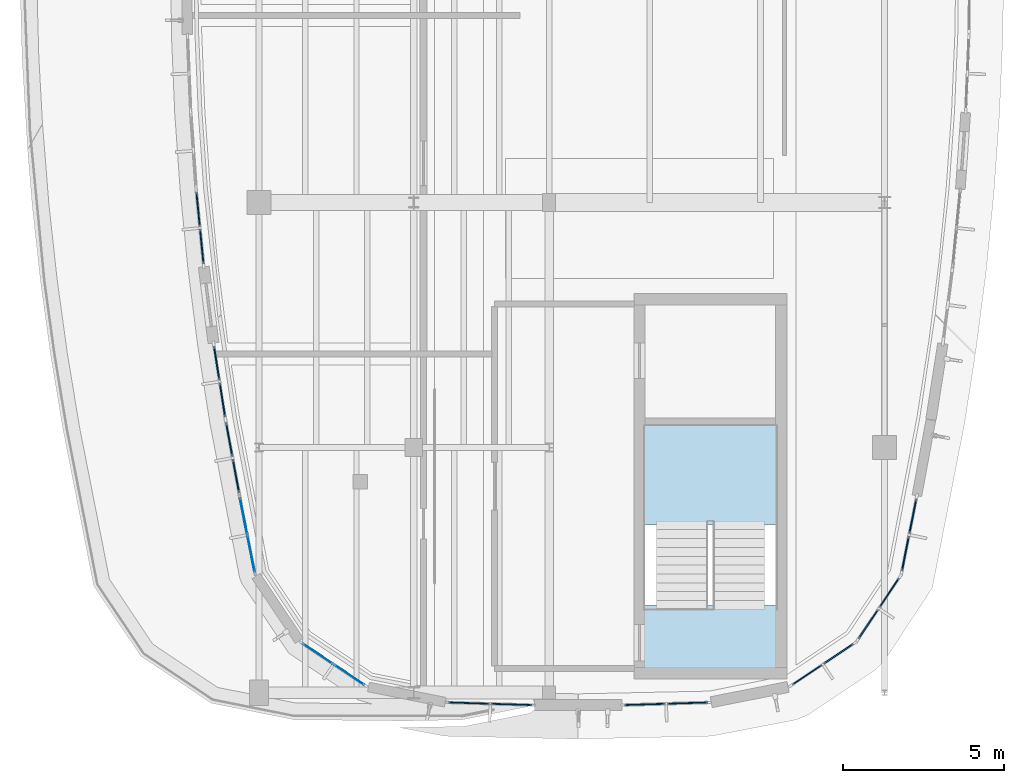
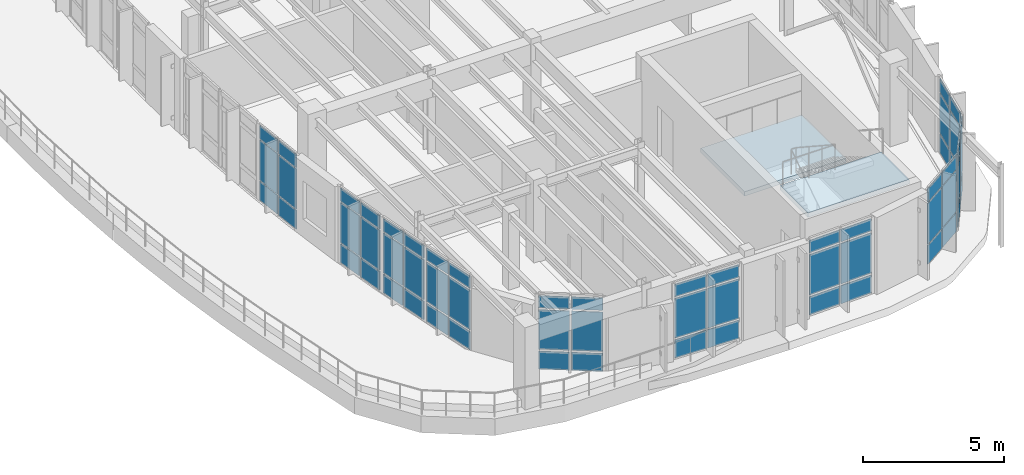
# One storey, part 12 of 20: 60 plates, 2 slabs, 11 elements without a shape of their own.
"""IFC4 building model written with IfcOpenShell, lengths in metres."""

from ifc_helpers import new_model, si_unit, direction, frame, origin, origin_2d, place, context, subcontext, project, spatial, polyline, rectangle, outline, extrude, material, layer, layer_set, type_object, element, aggregate, save


model = new_model("IFC4")

# Units and contexts
model_context = context("Model", 3, precision=1e-05, world=origin(), true_north=direction((0.0, 1.0)))
body_context = subcontext(model_context, "Body", "Model", "MODEL_VIEW")
ifc_project = project(units=[si_unit("LENGTHUNIT", "METRE"), si_unit("AREAUNIT", "SQUARE_METRE"), si_unit("VOLUMEUNIT", "CUBIC_METRE"), si_unit("PLANEANGLEUNIT", "RADIAN"), si_unit("MASSUNIT", "GRAM", prefix="KILO")], contexts=[model_context])

# Site, building, storey
site_placement = place(None, origin())
site = spatial("IfcSite", under=ifc_project, at=site_placement, CompositionType="ELEMENT")
building_placement = place(site_placement, origin())
building = spatial("IfcBuilding", under=site, at=building_placement, Name="Corveleigh Park Community Centre", CompositionType="ELEMENT")
storey_placement = place(building_placement, frame((0.0, 0.0, 16.199951171875)))
storey = spatial("IfcBuildingStorey", under=building, at=storey_placement, Name="L04", CompositionType="ELEMENT", Elevation=16.199951171875)

# Curtain wall, plates
ifc_material_1 = material(Name="Anodised aluminium 6063-T6", Category="aluminium")
curtain_wall_type = type_object("IfcCurtainWallType", Name="CW-SYS-V4-L03", PredefinedType="NOTDEFINED", material=ifc_material_1)
curtain_wall_1_placement = place(storey_placement, origin())
curtain_wall_1 = element("IfcCurtainWall", 1, at=curtain_wall_1_placement, inside=storey, type_object=curtain_wall_type, Name="V4 L04 Curtain Wall 469", PredefinedType="NOTDEFINED")
ifc_material_2 = material(Name="Low-E double glazing", Category="glass")
ifc_layer_1 = layer(ifc_material_2, 0.02392578125, Name="Low-E double glazing", Category="glass")
ifc_layer_set_1 = layer_set([ifc_layer_1], Name="Low-E double glazing")
plate_type_1 = type_object("IfcPlateType", Name="CWP-GLZ-24", PredefinedType="CURTAIN_PANEL", material=ifc_layer_set_1)
plate_1_placement = place(storey_placement, frame((148.755859375, 62.9091796875, 0.074951171875), z_axis=(0.0, 0.0, 1.0), x_axis=(-0.195093525756, 0.980784643134, 0.0)))
plate_1 = element("IfcPlate", 2, at=plate_1_placement, type_object=plate_type_1, Name="CW09 panel 1.1", PredefinedType="CURTAIN_PANEL", context=body_context, shape_type="SweptSolid", body=[
    extrude(rectangle(XDim=1.132568359375, YDim=0.02392578125, at=origin_2d()), origin(), (0.0, 0.0, 1.0), 0.78759765625),
])
plate_2_placement = place(storey_placement, frame((148.755859375, 62.9091796875, 0.9375), z_axis=(0.0, 0.0, 1.0), x_axis=(-0.195093525756, 0.980784643134, 0.0)))
plate_2 = element("IfcPlate", 3, at=plate_2_placement, type_object=plate_type_1, Name="CW09 panel 1.2", PredefinedType="CURTAIN_PANEL", context=body_context, shape_type="SweptSolid", body=[
    extrude(rectangle(XDim=1.132568359375, YDim=0.02392578125, at=origin_2d()), origin(), (0.0, 0.0, 1.0), 1.7119140625),
])
plate_3_placement = place(storey_placement, frame((148.755859375, 62.9091796875, 2.724609375), z_axis=(0.0, 0.0, 1.0), x_axis=(-0.195093525756, 0.980784643134, 0.0)))
plate_3 = element("IfcPlate", 4, at=plate_3_placement, type_object=plate_type_1, Name="CW09 panel 1.3", PredefinedType="CURTAIN_PANEL", context=body_context, shape_type="SweptSolid", body=[
    extrude(rectangle(XDim=1.132568359375, YDim=0.02392578125, at=origin_2d()), origin(), (0.0, 0.0, 1.0), 0.53759765625),
])
plate_4_placement = place(storey_placement, frame((148.523193359375, 64.078857421875, 0.074951171875), z_axis=(0.0, 0.0, 1.0), x_axis=(-0.195093525756, 0.980784643134, 0.0)))
plate_4 = element("IfcPlate", 5, at=plate_4_placement, type_object=plate_type_1, Name="CW09 panel 2.1", PredefinedType="CURTAIN_PANEL", context=body_context, shape_type="SweptSolid", body=[
    extrude(rectangle(XDim=1.132568359375, YDim=0.02392578125, at=origin_2d()), origin(), (0.0, 0.0, 1.0), 0.78759765625),
])
plate_5_placement = place(storey_placement, frame((148.523193359375, 64.078857421875, 0.9375), z_axis=(0.0, 0.0, 1.0), x_axis=(-0.195093525756, 0.980784643134, 0.0)))
plate_5 = element("IfcPlate", 6, at=plate_5_placement, type_object=plate_type_1, Name="CW09 panel 2.2", PredefinedType="CURTAIN_PANEL", context=body_context, shape_type="SweptSolid", body=[
    extrude(rectangle(XDim=1.132568359375, YDim=0.02392578125, at=origin_2d()), origin(), (0.0, 0.0, 1.0), 1.7119140625),
])
plate_6_placement = place(storey_placement, frame((148.523193359375, 64.078857421875, 2.724609375), z_axis=(0.0, 0.0, 1.0), x_axis=(-0.195093525756, 0.980784643134, 0.0)))
plate_6 = element("IfcPlate", 7, at=plate_6_placement, type_object=plate_type_1, Name="CW09 panel 2.3", PredefinedType="CURTAIN_PANEL", context=body_context, shape_type="SweptSolid", body=[
    extrude(rectangle(XDim=1.132568359375, YDim=0.02392578125, at=origin_2d()), origin(), (0.0, 0.0, 1.0), 0.53759765625),
])
aggregate(curtain_wall_1, [plate_1, plate_2, plate_3, plate_4, plate_5, plate_6])

curtain_wall_2_placement = place(storey_placement, origin())
curtain_wall_2 = element("IfcCurtainWall", 8, at=curtain_wall_2_placement, inside=storey, type_object=curtain_wall_type, Name="V4 L04 Curtain Wall 470", PredefinedType="NOTDEFINED")
plate_7_placement = place(storey_placement, frame((151.800048828125, 59.155517578125, 0.080078125), z_axis=(0.0, 0.0, 1.0), x_axis=(-0.83141083453, 0.555658190101, 0.0)))
plate_7 = element("IfcPlate", 9, at=plate_7_placement, type_object=plate_type_1, Name="CW09 panel 1.1", PredefinedType="CURTAIN_PANEL", context=body_context, shape_type="SweptSolid", body=[
    extrude(rectangle(XDim=1.1064453125, YDim=0.02392578125, at=origin_2d()), origin(), (0.0, 0.0, 1.0), 0.780029296875),
])
plate_8_placement = place(storey_placement, frame((151.800048828125, 59.155517578125, 0.93994140625), z_axis=(0.0, 0.0, 1.0), x_axis=(-0.83141083453, 0.555658190101, 0.0)))
plate_8 = element("IfcPlate", 10, at=plate_8_placement, type_object=plate_type_1, Name="CW09 panel 1.2", PredefinedType="CURTAIN_PANEL", context=body_context, shape_type="SweptSolid", body=[
    extrude(rectangle(XDim=1.1064453125, YDim=0.02392578125, at=origin_2d()), origin(), (0.0, 0.0, 1.0), 1.70703125),
])
plate_9_placement = place(storey_placement, frame((151.800048828125, 59.155517578125, 2.72705078125), z_axis=(0.0, 0.0, 1.0), x_axis=(-0.83141083453, 0.555658190101, 0.0)))
plate_9 = element("IfcPlate", 11, at=plate_9_placement, type_object=plate_type_1, Name="CW09 panel 1.3", PredefinedType="CURTAIN_PANEL", context=body_context, shape_type="SweptSolid", body=[
    extrude(rectangle(XDim=1.1064453125, YDim=0.02392578125, at=origin_2d()), origin(), (0.0, 0.0, 1.0), 0.530029296875),
])
plate_10_placement = place(storey_placement, frame((150.825927734375, 59.806396484375, 0.080078125), z_axis=(0.0, 0.0, 1.0), x_axis=(-0.83141083453, 0.555658190101, 0.0)))
plate_10 = element("IfcPlate", 12, at=plate_10_placement, type_object=plate_type_1, Name="CW09 panel 2.1", PredefinedType="CURTAIN_PANEL", context=body_context, shape_type="SweptSolid", body=[
    extrude(rectangle(XDim=1.1064453125, YDim=0.02392578125, at=origin_2d()), origin(), (0.0, 0.0, 1.0), 0.780029296875),
])
plate_11_placement = place(storey_placement, frame((150.825927734375, 59.806396484375, 0.93994140625), z_axis=(0.0, 0.0, 1.0), x_axis=(-0.83141083453, 0.555658190101, 0.0)))
plate_11 = element("IfcPlate", 13, at=plate_11_placement, type_object=plate_type_1, Name="CW09 panel 2.2", PredefinedType="CURTAIN_PANEL", context=body_context, shape_type="SweptSolid", body=[
    extrude(rectangle(XDim=1.1064453125, YDim=0.02392578125, at=origin_2d()), origin(), (0.0, 0.0, 1.0), 1.70703125),
])
plate_12_placement = place(storey_placement, frame((150.825927734375, 59.806396484375, 2.72705078125), z_axis=(0.0, 0.0, 1.0), x_axis=(-0.83141083453, 0.555658190101, 0.0)))
plate_12 = element("IfcPlate", 14, at=plate_12_placement, type_object=plate_type_1, Name="CW09 panel 2.3", PredefinedType="CURTAIN_PANEL", context=body_context, shape_type="SweptSolid", body=[
    extrude(rectangle(XDim=1.1064453125, YDim=0.02392578125, at=origin_2d()), origin(), (0.0, 0.0, 1.0), 0.530029296875),
])
aggregate(curtain_wall_2, [plate_7, plate_8, plate_9, plate_10, plate_11, plate_12])

curtain_wall_3_placement = place(storey_placement, origin())
curtain_wall_3 = element("IfcCurtainWall", 15, at=curtain_wall_3_placement, inside=storey, type_object=curtain_wall_type, Name="V4 L04 Curtain Wall 439", PredefinedType="NOTDEFINED")
ifc_layer_2 = layer(ifc_material_2, 0.035888671875, Name="Low-E double glazing", Category="glass")
ifc_layer_set_2 = layer_set([ifc_layer_2], Name="Low-E double glazing")
plate_type_2 = type_object("IfcPlateType", Name="CWP-GLZ-36", PredefinedType="CURTAIN_PANEL", material=ifc_layer_set_2)
plate_13_placement = place(storey_placement, frame((156.833740234375, 58.23583984375, 0.074951171875), z_axis=(0.0, 0.0, 1.0), x_axis=(-0.99950519252, 0.031454254481, 0.0)))
plate_13 = element("IfcPlate", 16, at=plate_13_placement, type_object=plate_type_2, Name="CW09 panel 1.1", PredefinedType="CURTAIN_PANEL", context=body_context, shape_type="SweptSolid", body=[
    extrude(rectangle(XDim=1.26123046875, YDim=0.035888671875, at=origin_2d()), origin(), (0.0, 0.0, 1.0), 0.78759765625),
])
plate_14_placement = place(storey_placement, frame((156.833740234375, 58.23583984375, 0.9375), z_axis=(0.0, 0.0, 1.0), x_axis=(-0.99950519252, 0.031454254481, 0.0)))
plate_14 = element("IfcPlate", 17, at=plate_14_placement, type_object=plate_type_2, Name="CW09 panel 1.2", PredefinedType="CURTAIN_PANEL", context=body_context, shape_type="SweptSolid", body=[
    extrude(rectangle(XDim=1.26123046875, YDim=0.035888671875, at=origin_2d()), origin(), (0.0, 0.0, 1.0), 1.7119140625),
])
plate_15_placement = place(storey_placement, frame((156.833740234375, 58.23583984375, 2.724609375), z_axis=(0.0, 0.0, 1.0), x_axis=(-0.99950519252, 0.031454254481, 0.0)))
plate_15 = element("IfcPlate", 18, at=plate_15_placement, type_object=plate_type_2, Name="CW09 panel 1.3", PredefinedType="CURTAIN_PANEL", context=body_context, shape_type="SweptSolid", body=[
    extrude(rectangle(XDim=1.26123046875, YDim=0.035888671875, at=origin_2d()), origin(), (0.0, 0.0, 1.0), 0.53759765625),
])
plate_16_placement = place(storey_placement, frame((155.51318359375, 58.27734375, 0.074951171875), z_axis=(0.0, 0.0, 1.0), x_axis=(-0.99950519252, 0.031454254481, 0.0)))
plate_16 = element("IfcPlate", 19, at=plate_16_placement, type_object=plate_type_2, Name="CW09 panel 2.1", PredefinedType="CURTAIN_PANEL", context=body_context, shape_type="SweptSolid", body=[
    extrude(rectangle(XDim=1.26123046875, YDim=0.035888671875, at=origin_2d()), origin(), (0.0, 0.0, 1.0), 0.78759765625),
])
plate_17_placement = place(storey_placement, frame((155.51318359375, 58.27734375, 0.9375), z_axis=(0.0, 0.0, 1.0), x_axis=(-0.99950519252, 0.031454254481, 0.0)))
plate_17 = element("IfcPlate", 20, at=plate_17_placement, type_object=plate_type_2, Name="CW09 panel 2.2", PredefinedType="CURTAIN_PANEL", context=body_context, shape_type="SweptSolid", body=[
    extrude(rectangle(XDim=1.26123046875, YDim=0.035888671875, at=origin_2d()), origin(), (0.0, 0.0, 1.0), 1.7119140625),
])
plate_18_placement = place(storey_placement, frame((155.51318359375, 58.27734375, 2.724609375), z_axis=(0.0, 0.0, 1.0), x_axis=(-0.99950519252, 0.031454254481, 0.0)))
plate_18 = element("IfcPlate", 21, at=plate_18_placement, type_object=plate_type_2, Name="CW09 panel 2.3", PredefinedType="CURTAIN_PANEL", context=body_context, shape_type="SweptSolid", body=[
    extrude(rectangle(XDim=1.26123046875, YDim=0.035888671875, at=origin_2d()), origin(), (0.0, 0.0, 1.0), 0.53759765625),
])
aggregate(curtain_wall_3, [plate_13, plate_14, plate_15, plate_16, plate_17, plate_18])

curtain_wall_4_placement = place(storey_placement, origin())
curtain_wall_4 = element("IfcCurtainWall", 22, at=curtain_wall_4_placement, inside=storey, type_object=curtain_wall_type, Name="V4 L04 Curtain Wall 440", PredefinedType="NOTDEFINED")
plate_19_placement = place(storey_placement, frame((162.285400390625, 58.27734375, 0.080078125), z_axis=(0.0, 0.0, 1.0), x_axis=(-0.99950519252, -0.031454254481, 0.0)))
plate_19 = element("IfcPlate", 23, at=plate_19_placement, type_object=plate_type_2, Name="CW09 panel 1.1", PredefinedType="CURTAIN_PANEL", context=body_context, shape_type="SweptSolid", body=[
    extrude(rectangle(XDim=1.253662109375, YDim=0.035888671875, at=origin_2d()), origin(), (0.0, 0.0, 1.0), 0.780029296875),
])
plate_20_placement = place(storey_placement, frame((162.285400390625, 58.27734375, 0.93994140625), z_axis=(0.0, 0.0, 1.0), x_axis=(-0.99950519252, -0.031454254481, 0.0)))
plate_20 = element("IfcPlate", 24, at=plate_20_placement, type_object=plate_type_2, Name="CW09 panel 1.2", PredefinedType="CURTAIN_PANEL", context=body_context, shape_type="SweptSolid", body=[
    extrude(rectangle(XDim=1.253662109375, YDim=0.035888671875, at=origin_2d()), origin(), (0.0, 0.0, 1.0), 1.741943359375),
])
plate_21_placement = place(storey_placement, frame((162.285400390625, 58.27734375, 2.76220703125), z_axis=(0.0, 0.0, 1.0), x_axis=(-0.99950519252, -0.031454254481, 0.0)))
plate_21 = element("IfcPlate", 25, at=plate_21_placement, type_object=plate_type_2, Name="CW09 panel 1.3", PredefinedType="CURTAIN_PANEL", context=body_context, shape_type="SweptSolid", body=[
    extrude(rectangle(XDim=1.253662109375, YDim=0.035888671875, at=origin_2d()), origin(), (0.0, 0.0, 1.0), 0.530029296875),
])
plate_22_placement = place(storey_placement, frame((160.967529296875, 58.23583984375, 0.080078125), z_axis=(0.0, 0.0, 1.0), x_axis=(-0.99950519252, -0.031454254481, 0.0)))
plate_22 = element("IfcPlate", 26, at=plate_22_placement, type_object=plate_type_2, Name="CW09 panel 2.1", PredefinedType="CURTAIN_PANEL", context=body_context, shape_type="SweptSolid", body=[
    extrude(rectangle(XDim=1.253662109375, YDim=0.035888671875, at=origin_2d()), origin(), (0.0, 0.0, 1.0), 0.780029296875),
])
plate_23_placement = place(storey_placement, frame((160.967529296875, 58.23583984375, 0.93994140625), z_axis=(0.0, 0.0, 1.0), x_axis=(-0.99950519252, -0.031454254481, 0.0)))
plate_23 = element("IfcPlate", 27, at=plate_23_placement, type_object=plate_type_2, Name="CW09 panel 2.2", PredefinedType="CURTAIN_PANEL", context=body_context, shape_type="SweptSolid", body=[
    extrude(rectangle(XDim=1.253662109375, YDim=0.035888671875, at=origin_2d()), origin(), (0.0, 0.0, 1.0), 1.741943359375),
])
plate_24_placement = place(storey_placement, frame((160.967529296875, 58.23583984375, 2.76220703125), z_axis=(0.0, 0.0, 1.0), x_axis=(-0.99950519252, -0.031454254481, 0.0)))
plate_24 = element("IfcPlate", 28, at=plate_24_placement, type_object=plate_type_2, Name="CW09 panel 2.3", PredefinedType="CURTAIN_PANEL", context=body_context, shape_type="SweptSolid", body=[
    extrude(rectangle(XDim=1.253662109375, YDim=0.035888671875, at=origin_2d()), origin(), (0.0, 0.0, 1.0), 0.530029296875),
])
aggregate(curtain_wall_4, [plate_19, plate_20, plate_21, plate_22, plate_23, plate_24])

curtain_wall_5_placement = place(storey_placement, origin())
curtain_wall_5 = element("IfcCurtainWall", 29, at=curtain_wall_5_placement, inside=storey, type_object=curtain_wall_type, Name="V4 L04 Curtain Wall 441", PredefinedType="NOTDEFINED")
ifc_layer_3 = layer(ifc_material_2, 0.0400390625, Name="Low-E double glazing", Category="glass")
ifc_layer_set_3 = layer_set([ifc_layer_3], Name="Low-E double glazing")
plate_type_3 = type_object("IfcPlateType", Name="CWP-GLZ-40", PredefinedType="CURTAIN_PANEL", material=ifc_layer_set_3)
plate_25_placement = place(storey_placement, frame((166.972900390625, 59.8056640625, 0.06005859375), z_axis=(0.0, 0.0, 1.0), x_axis=(-0.83141083453, -0.555658190101, 0.0)))
plate_25 = element("IfcPlate", 30, at=plate_25_placement, type_object=plate_type_3, Name="CW09 panel 1.1", PredefinedType="CURTAIN_PANEL", context=body_context, shape_type="SweptSolid", body=[
    extrude(rectangle(XDim=1.098876953125, YDim=0.0400390625, at=origin_2d()), origin(), (0.0, 0.0, 1.0), 0.81005859375),
])
plate_26_placement = place(storey_placement, frame((166.972900390625, 59.8056640625, 0.93017578125), z_axis=(0.0, 0.0, 1.0), x_axis=(-0.83141083453, -0.555658190101, 0.0)))
plate_26 = element("IfcPlate", 31, at=plate_26_placement, type_object=plate_type_3, Name="CW09 panel 1.2", PredefinedType="CURTAIN_PANEL", context=body_context, shape_type="SweptSolid", body=[
    extrude(rectangle(XDim=1.098876953125, YDim=0.0400390625, at=origin_2d()), origin(), (0.0, 0.0, 1.0), 1.761962890625),
])
plate_27_placement = place(storey_placement, frame((166.972900390625, 59.8056640625, 2.751953125), z_axis=(0.0, 0.0, 1.0), x_axis=(-0.83141083453, -0.555658190101, 0.0)))
plate_27 = element("IfcPlate", 32, at=plate_27_placement, type_object=plate_type_3, Name="CW09 panel 1.3", PredefinedType="CURTAIN_PANEL", context=body_context, shape_type="SweptSolid", body=[
    extrude(rectangle(XDim=1.098876953125, YDim=0.0400390625, at=origin_2d()), origin(), (0.0, 0.0, 1.0), 0.56005859375),
])
plate_28_placement = place(storey_placement, frame((166.0009765625, 59.15625, 0.06005859375), z_axis=(0.0, 0.0, 1.0), x_axis=(-0.83141083453, -0.555658190101, 0.0)))
plate_28 = element("IfcPlate", 33, at=plate_28_placement, type_object=plate_type_3, Name="CW09 panel 2.1", PredefinedType="CURTAIN_PANEL", context=body_context, shape_type="SweptSolid", body=[
    extrude(rectangle(XDim=1.098876953125, YDim=0.0400390625, at=origin_2d()), origin(), (0.0, 0.0, 1.0), 0.81005859375),
])
plate_29_placement = place(storey_placement, frame((166.0009765625, 59.15625, 0.93017578125), z_axis=(0.0, 0.0, 1.0), x_axis=(-0.83141083453, -0.555658190101, 0.0)))
plate_29 = element("IfcPlate", 34, at=plate_29_placement, type_object=plate_type_3, Name="CW09 panel 2.2", PredefinedType="CURTAIN_PANEL", context=body_context, shape_type="SweptSolid", body=[
    extrude(rectangle(XDim=1.098876953125, YDim=0.0400390625, at=origin_2d()), origin(), (0.0, 0.0, 1.0), 1.761962890625),
])
plate_30_placement = place(storey_placement, frame((166.0009765625, 59.15625, 2.751953125), z_axis=(0.0, 0.0, 1.0), x_axis=(-0.83141083453, -0.555658190101, 0.0)))
plate_30 = element("IfcPlate", 35, at=plate_30_placement, type_object=plate_type_3, Name="CW09 panel 2.3", PredefinedType="CURTAIN_PANEL", context=body_context, shape_type="SweptSolid", body=[
    extrude(rectangle(XDim=1.098876953125, YDim=0.0400390625, at=origin_2d()), origin(), (0.0, 0.0, 1.0), 0.56005859375),
])
aggregate(curtain_wall_5, [plate_25, plate_26, plate_27, plate_28, plate_29, plate_30])

curtain_wall_6_placement = place(storey_placement, origin())
curtain_wall_6 = element("IfcCurtainWall", 36, at=curtain_wall_6_placement, inside=storey, type_object=curtain_wall_type, Name="V4 L04 Curtain Wall 442", PredefinedType="NOTDEFINED")
plate_31_placement = place(storey_placement, frame((168.54296875, 61.697998046875, 0.06494140625), z_axis=(0.0, 0.0, 1.0), x_axis=(-0.555658190101, -0.83141083453, 0.0)))
plate_31 = element("IfcPlate", 37, at=plate_31_placement, type_object=plate_type_3, Name="CW09 panel 1.1", PredefinedType="CURTAIN_PANEL", context=body_context, shape_type="SweptSolid", body=[
    extrude(rectangle(XDim=1.091552734375, YDim=0.0400390625, at=origin_2d()), origin(), (0.0, 0.0, 1.0), 0.802490234375),
])
plate_32_placement = place(storey_placement, frame((168.54296875, 61.697998046875, 0.9326171875), z_axis=(0.0, 0.0, 1.0), x_axis=(-0.555658190101, -0.83141083453, 0.0)))
plate_32 = element("IfcPlate", 38, at=plate_32_placement, type_object=plate_type_3, Name="CW09 panel 1.2", PredefinedType="CURTAIN_PANEL", context=body_context, shape_type="SweptSolid", body=[
    extrude(rectangle(XDim=1.091552734375, YDim=0.0400390625, at=origin_2d()), origin(), (0.0, 0.0, 1.0), 1.757080078125),
])
plate_33_placement = place(storey_placement, frame((168.54296875, 61.697998046875, 2.75439453125), z_axis=(0.0, 0.0, 1.0), x_axis=(-0.555658190101, -0.83141083453, 0.0)))
plate_33 = element("IfcPlate", 39, at=plate_33_placement, type_object=plate_type_3, Name="CW09 panel 1.3", PredefinedType="CURTAIN_PANEL", context=body_context, shape_type="SweptSolid", body=[
    extrude(rectangle(XDim=1.091552734375, YDim=0.0400390625, at=origin_2d()), origin(), (0.0, 0.0, 1.0), 0.552490234375),
])
plate_34_placement = place(storey_placement, frame((167.89501953125, 60.72802734375, 0.06494140625), z_axis=(0.0, 0.0, 1.0), x_axis=(-0.555658190101, -0.83141083453, 0.0)))
plate_34 = element("IfcPlate", 40, at=plate_34_placement, type_object=plate_type_3, Name="CW09 panel 2.1", PredefinedType="CURTAIN_PANEL", context=body_context, shape_type="SweptSolid", body=[
    extrude(rectangle(XDim=1.091552734375, YDim=0.0400390625, at=origin_2d()), origin(), (0.0, 0.0, 1.0), 0.802490234375),
])
plate_35_placement = place(storey_placement, frame((167.89501953125, 60.72802734375, 0.9326171875), z_axis=(0.0, 0.0, 1.0), x_axis=(-0.555658190101, -0.83141083453, 0.0)))
plate_35 = element("IfcPlate", 41, at=plate_35_placement, type_object=plate_type_3, Name="CW09 panel 2.2", PredefinedType="CURTAIN_PANEL", context=body_context, shape_type="SweptSolid", body=[
    extrude(rectangle(XDim=1.091552734375, YDim=0.0400390625, at=origin_2d()), origin(), (0.0, 0.0, 1.0), 1.757080078125),
])
plate_36_placement = place(storey_placement, frame((167.89501953125, 60.72802734375, 2.75439453125), z_axis=(0.0, 0.0, 1.0), x_axis=(-0.555658190101, -0.83141083453, 0.0)))
plate_36 = element("IfcPlate", 42, at=plate_36_placement, type_object=plate_type_3, Name="CW09 panel 2.3", PredefinedType="CURTAIN_PANEL", context=body_context, shape_type="SweptSolid", body=[
    extrude(rectangle(XDim=1.091552734375, YDim=0.0400390625, at=origin_2d()), origin(), (0.0, 0.0, 1.0), 0.552490234375),
])
aggregate(curtain_wall_6, [plate_31, plate_32, plate_33, plate_34, plate_35, plate_36])

curtain_wall_7_placement = place(storey_placement, origin())
curtain_wall_7 = element("IfcCurtainWall", 43, at=curtain_wall_7_placement, inside=storey, type_object=curtain_wall_type, Name="V4 L04 Curtain Wall 466", PredefinedType="NOTDEFINED")
plate_37_placement = place(storey_placement, frame((147.2265625, 72.435546875, 0.06005859375), z_axis=(0.0, 0.0, 1.0), x_axis=(-0.098174367416, 0.995169228615, 0.0)))
plate_37 = element("IfcPlate", 44, at=plate_37_placement, type_object=plate_type_3, Name="CW09 panel 1.1", PredefinedType="CURTAIN_PANEL", context=body_context, shape_type="SweptSolid", body=[
    extrude(rectangle(XDim=1.079345703125, YDim=0.0400390625, at=origin_2d()), origin(), (0.0, 0.0, 1.0), 0.81005859375),
])
plate_38_placement = place(storey_placement, frame((147.2265625, 72.435546875, 0.929931640625), z_axis=(0.0, 0.0, 1.0), x_axis=(-0.098174367416, 0.995169228615, 0.0)))
plate_38 = element("IfcPlate", 45, at=plate_38_placement, type_object=plate_type_3, Name="CW09 panel 1.2", PredefinedType="CURTAIN_PANEL", context=body_context, shape_type="SweptSolid", body=[
    extrude(rectangle(XDim=1.079345703125, YDim=0.0400390625, at=origin_2d()), origin(), (0.0, 0.0, 1.0), 1.72705078125),
])
plate_39_placement = place(storey_placement, frame((147.2265625, 72.435546875, 2.717041015625), z_axis=(0.0, 0.0, 1.0), x_axis=(-0.098174367416, 0.995169228615, 0.0)))
plate_39 = element("IfcPlate", 46, at=plate_39_placement, type_object=plate_type_3, Name="CW09 panel 1.3", PredefinedType="CURTAIN_PANEL", context=body_context, shape_type="SweptSolid", body=[
    extrude(rectangle(XDim=1.079345703125, YDim=0.0400390625, at=origin_2d()), origin(), (0.0, 0.0, 1.0), 0.56005859375),
])
plate_40_placement = place(storey_placement, frame((147.11328125, 73.584228515625, 0.06005859375), z_axis=(0.0, 0.0, 1.0), x_axis=(-0.098174367416, 0.995169228615, 0.0)))
plate_40 = element("IfcPlate", 47, at=plate_40_placement, type_object=plate_type_3, Name="CW09 panel 2.1", PredefinedType="CURTAIN_PANEL", context=body_context, shape_type="SweptSolid", body=[
    extrude(rectangle(XDim=1.079345703125, YDim=0.0400390625, at=origin_2d()), origin(), (0.0, 0.0, 1.0), 0.81005859375),
])
plate_41_placement = place(storey_placement, frame((147.11328125, 73.584228515625, 0.929931640625), z_axis=(0.0, 0.0, 1.0), x_axis=(-0.098174367416, 0.995169228615, 0.0)))
plate_41 = element("IfcPlate", 48, at=plate_41_placement, type_object=plate_type_3, Name="CW09 panel 2.2", PredefinedType="CURTAIN_PANEL", context=body_context, shape_type="SweptSolid", body=[
    extrude(rectangle(XDim=1.079345703125, YDim=0.0400390625, at=origin_2d()), origin(), (0.0, 0.0, 1.0), 1.72705078125),
])
plate_42_placement = place(storey_placement, frame((147.11328125, 73.584228515625, 2.717041015625), z_axis=(0.0, 0.0, 1.0), x_axis=(-0.098174367416, 0.995169228615, 0.0)))
plate_42 = element("IfcPlate", 49, at=plate_42_placement, type_object=plate_type_3, Name="CW09 panel 2.3", PredefinedType="CURTAIN_PANEL", context=body_context, shape_type="SweptSolid", body=[
    extrude(rectangle(XDim=1.079345703125, YDim=0.0400390625, at=origin_2d()), origin(), (0.0, 0.0, 1.0), 0.56005859375),
])
aggregate(curtain_wall_7, [plate_37, plate_38, plate_39, plate_40, plate_41, plate_42])

curtain_wall_8_placement = place(storey_placement, origin())
curtain_wall_8 = element("IfcCurtainWall", 50, at=curtain_wall_8_placement, inside=storey, type_object=curtain_wall_type, Name="V4 L04 Curtain Wall 443", PredefinedType="NOTDEFINED")
ifc_layer_4 = layer(ifc_material_2, 0.0439453125, Name="Low-E double glazing", Category="glass")
ifc_layer_set_4 = layer_set([ifc_layer_4], Name="Low-E double glazing")
plate_type_4 = type_object("IfcPlateType", Name="CWP-GLZ-44", PredefinedType="CURTAIN_PANEL", material=ifc_layer_set_4)
plate_43_placement = place(storey_placement, frame((169.27587890625, 64.073974609375, 0.070068359375), z_axis=(0.0, 0.0, 1.0), x_axis=(-0.195093525756, -0.980784643134, 0.0)))
plate_43 = element("IfcPlate", 51, at=plate_43_placement, type_object=plate_type_4, Name="CW09 panel 1.1", PredefinedType="CURTAIN_PANEL", context=body_context, shape_type="SweptSolid", body=[
    extrude(rectangle(XDim=1.1025390625, YDim=0.0439453125, at=origin_2d()), origin(), (0.0, 0.0, 1.0), 0.794921875),
])
plate_44_placement = place(storey_placement, frame((169.27587890625, 64.073974609375, 0.93505859375), z_axis=(0.0, 0.0, 1.0), x_axis=(-0.195093525756, -0.980784643134, 0.0)))
plate_44 = element("IfcPlate", 52, at=plate_44_placement, type_object=plate_type_4, Name="CW09 panel 1.2", PredefinedType="CURTAIN_PANEL", context=body_context, shape_type="SweptSolid", body=[
    extrude(rectangle(XDim=1.1025390625, YDim=0.0439453125, at=origin_2d()), origin(), (0.0, 0.0, 1.0), 1.69189453125),
])
plate_45_placement = place(storey_placement, frame((169.27587890625, 64.073974609375, 2.697021484375), z_axis=(0.0, 0.0, 1.0), x_axis=(-0.195093525756, -0.980784643134, 0.0)))
plate_45 = element("IfcPlate", 53, at=plate_45_placement, type_object=plate_type_4, Name="CW09 panel 1.3", PredefinedType="CURTAIN_PANEL", context=body_context, shape_type="SweptSolid", body=[
    extrude(rectangle(XDim=1.1025390625, YDim=0.0439453125, at=origin_2d()), origin(), (0.0, 0.0, 1.0), 0.544921875),
])
plate_46_placement = place(storey_placement, frame((169.045166015625, 62.9140625, 0.070068359375), z_axis=(0.0, 0.0, 1.0), x_axis=(-0.195093525756, -0.980784643134, 0.0)))
plate_46 = element("IfcPlate", 54, at=plate_46_placement, type_object=plate_type_4, Name="CW09 panel 2.1", PredefinedType="CURTAIN_PANEL", context=body_context, shape_type="SweptSolid", body=[
    extrude(rectangle(XDim=1.1025390625, YDim=0.0439453125, at=origin_2d()), origin(), (0.0, 0.0, 1.0), 0.794921875),
])
plate_47_placement = place(storey_placement, frame((169.045166015625, 62.9140625, 0.93505859375), z_axis=(0.0, 0.0, 1.0), x_axis=(-0.195093525756, -0.980784643134, 0.0)))
plate_47 = element("IfcPlate", 55, at=plate_47_placement, type_object=plate_type_4, Name="CW09 panel 2.2", PredefinedType="CURTAIN_PANEL", context=body_context, shape_type="SweptSolid", body=[
    extrude(rectangle(XDim=1.1025390625, YDim=0.0439453125, at=origin_2d()), origin(), (0.0, 0.0, 1.0), 1.69189453125),
])
plate_48_placement = place(storey_placement, frame((169.045166015625, 62.9140625, 2.697021484375), z_axis=(0.0, 0.0, 1.0), x_axis=(-0.195093525756, -0.980784643134, 0.0)))
plate_48 = element("IfcPlate", 56, at=plate_48_placement, type_object=plate_type_4, Name="CW09 panel 2.3", PredefinedType="CURTAIN_PANEL", context=body_context, shape_type="SweptSolid", body=[
    extrude(rectangle(XDim=1.1025390625, YDim=0.0439453125, at=origin_2d()), origin(), (0.0, 0.0, 1.0), 0.544921875),
])
aggregate(curtain_wall_8, [plate_43, plate_44, plate_45, plate_46, plate_47, plate_48])

curtain_wall_9_placement = place(storey_placement, origin())
curtain_wall_9 = element("IfcCurtainWall", 57, at=curtain_wall_9_placement, inside=storey, type_object=curtain_wall_type, Name="V4 L04 Curtain Wall 467", PredefinedType="NOTDEFINED")
plate_49_placement = place(storey_placement, frame((147.86669921875, 67.67822265625, 0.06494140625), z_axis=(0.0, 0.0, 1.0), x_axis=(-0.154863358814, 0.987935898779, 0.0)))
plate_49 = element("IfcPlate", 58, at=plate_49_placement, type_object=plate_type_4, Name="CW09 panel 1.1", PredefinedType="CURTAIN_PANEL", context=body_context, shape_type="SweptSolid", body=[
    extrude(rectangle(XDim=1.0712890625, YDim=0.0439453125, at=origin_2d()), origin(), (0.0, 0.0, 1.0), 0.802490234375),
])
plate_50_placement = place(storey_placement, frame((147.86669921875, 67.67822265625, 0.9326171875), z_axis=(0.0, 0.0, 1.0), x_axis=(-0.154863358814, 0.987935898779, 0.0)))
plate_50 = element("IfcPlate", 59, at=plate_50_placement, type_object=plate_type_4, Name="CW09 panel 1.2", PredefinedType="CURTAIN_PANEL", context=body_context, shape_type="SweptSolid", body=[
    extrude(rectangle(XDim=1.0712890625, YDim=0.0439453125, at=origin_2d()), origin(), (0.0, 0.0, 1.0), 1.721923828125),
])
plate_51_placement = place(storey_placement, frame((147.86669921875, 67.67822265625, 2.7197265625), z_axis=(0.0, 0.0, 1.0), x_axis=(-0.154863358814, 0.987935898779, 0.0)))
plate_51 = element("IfcPlate", 60, at=plate_51_placement, type_object=plate_type_4, Name="CW09 panel 1.3", PredefinedType="CURTAIN_PANEL", context=body_context, shape_type="SweptSolid", body=[
    extrude(rectangle(XDim=1.0712890625, YDim=0.0439453125, at=origin_2d()), origin(), (0.0, 0.0, 1.0), 0.552490234375),
])
plate_52_placement = place(storey_placement, frame((147.688232421875, 68.815673828125, 0.06494140625), z_axis=(0.0, 0.0, 1.0), x_axis=(-0.154863358814, 0.987935898779, 0.0)))
plate_52 = element("IfcPlate", 61, at=plate_52_placement, type_object=plate_type_4, Name="CW09 panel 2.1", PredefinedType="CURTAIN_PANEL", context=body_context, shape_type="SweptSolid", body=[
    extrude(rectangle(XDim=1.0712890625, YDim=0.0439453125, at=origin_2d()), origin(), (0.0, 0.0, 1.0), 0.802490234375),
])
plate_53_placement = place(storey_placement, frame((147.688232421875, 68.815673828125, 0.9326171875), z_axis=(0.0, 0.0, 1.0), x_axis=(-0.154863358814, 0.987935898779, 0.0)))
plate_53 = element("IfcPlate", 62, at=plate_53_placement, type_object=plate_type_4, Name="CW09 panel 2.2", PredefinedType="CURTAIN_PANEL", context=body_context, shape_type="SweptSolid", body=[
    extrude(rectangle(XDim=1.0712890625, YDim=0.0439453125, at=origin_2d()), origin(), (0.0, 0.0, 1.0), 1.721923828125),
])
plate_54_placement = place(storey_placement, frame((147.688232421875, 68.815673828125, 2.7197265625), z_axis=(0.0, 0.0, 1.0), x_axis=(-0.154863358814, 0.987935898779, 0.0)))
plate_54 = element("IfcPlate", 63, at=plate_54_placement, type_object=plate_type_4, Name="CW09 panel 2.3", PredefinedType="CURTAIN_PANEL", context=body_context, shape_type="SweptSolid", body=[
    extrude(rectangle(XDim=1.0712890625, YDim=0.0439453125, at=origin_2d()), origin(), (0.0, 0.0, 1.0), 0.552490234375),
])
aggregate(curtain_wall_9, [plate_49, plate_50, plate_51, plate_52, plate_53, plate_54])

curtain_wall_10_placement = place(storey_placement, origin())
curtain_wall_10 = element("IfcCurtainWall", 64, at=curtain_wall_10_placement, inside=storey, type_object=curtain_wall_type, Name="V4 L04 Curtain Wall 468", PredefinedType="NOTDEFINED")
plate_55_placement = place(storey_placement, frame((148.28662109375, 65.314208984375, 0.070068359375), z_axis=(0.0, 0.0, 1.0), x_axis=(-0.181984151504, 0.983301463744, 0.0)))
plate_55 = element("IfcPlate", 65, at=plate_55_placement, type_object=plate_type_4, Name="CW09 panel 1.1", PredefinedType="CURTAIN_PANEL", context=body_context, shape_type="SweptSolid", body=[
    extrude(rectangle(XDim=1.06494140625, YDim=0.0439453125, at=origin_2d()), origin(), (0.0, 0.0, 1.0), 0.794921875),
])
plate_56_placement = place(storey_placement, frame((148.28662109375, 65.314208984375, 0.93505859375), z_axis=(0.0, 0.0, 1.0), x_axis=(-0.181984151504, 0.983301463744, 0.0)))
plate_56 = element("IfcPlate", 66, at=plate_56_placement, type_object=plate_type_4, Name="CW09 panel 1.2", PredefinedType="CURTAIN_PANEL", context=body_context, shape_type="SweptSolid", body=[
    extrude(rectangle(XDim=1.06494140625, YDim=0.0439453125, at=origin_2d()), origin(), (0.0, 0.0, 1.0), 1.717041015625),
])
plate_57_placement = place(storey_placement, frame((148.28662109375, 65.314208984375, 2.72216796875), z_axis=(0.0, 0.0, 1.0), x_axis=(-0.181984151504, 0.983301463744, 0.0)))
plate_57 = element("IfcPlate", 67, at=plate_57_placement, type_object=plate_type_4, Name="CW09 panel 1.3", PredefinedType="CURTAIN_PANEL", context=body_context, shape_type="SweptSolid", body=[
    extrude(rectangle(XDim=1.06494140625, YDim=0.0439453125, at=origin_2d()), origin(), (0.0, 0.0, 1.0), 0.544921875),
])
plate_58_placement = place(storey_placement, frame((148.077392578125, 66.44482421875, 0.070068359375), z_axis=(0.0, 0.0, 1.0), x_axis=(-0.181984151504, 0.983301463744, 0.0)))
plate_58 = element("IfcPlate", 68, at=plate_58_placement, type_object=plate_type_4, Name="CW09 panel 2.1", PredefinedType="CURTAIN_PANEL", context=body_context, shape_type="SweptSolid", body=[
    extrude(rectangle(XDim=1.06494140625, YDim=0.0439453125, at=origin_2d()), origin(), (0.0, 0.0, 1.0), 0.794921875),
])
plate_59_placement = place(storey_placement, frame((148.077392578125, 66.44482421875, 0.93505859375), z_axis=(0.0, 0.0, 1.0), x_axis=(-0.181984151504, 0.983301463744, 0.0)))
plate_59 = element("IfcPlate", 69, at=plate_59_placement, type_object=plate_type_4, Name="CW09 panel 2.2", PredefinedType="CURTAIN_PANEL", context=body_context, shape_type="SweptSolid", body=[
    extrude(rectangle(XDim=1.06494140625, YDim=0.0439453125, at=origin_2d()), origin(), (0.0, 0.0, 1.0), 1.717041015625),
])
plate_60_placement = place(storey_placement, frame((148.077392578125, 66.44482421875, 2.72216796875), z_axis=(0.0, 0.0, 1.0), x_axis=(-0.181984151504, 0.983301463744, 0.0)))
plate_60 = element("IfcPlate", 70, at=plate_60_placement, type_object=plate_type_4, Name="CW09 panel 2.3", PredefinedType="CURTAIN_PANEL", context=body_context, shape_type="SweptSolid", body=[
    extrude(rectangle(XDim=1.06494140625, YDim=0.0439453125, at=origin_2d()), origin(), (0.0, 0.0, 1.0), 0.544921875),
])
aggregate(curtain_wall_10, [plate_55, plate_56, plate_57, plate_58, plate_59, plate_60])

# Stair, slabs
ifc_material_3 = material(Name="Concrete C32/40", Category="concrete")
stair_type = type_object("IfcStairType", Name="STR-HT-1600-360", PredefinedType="USERDEFINED", material=ifc_material_3)
stair_placement = place(storey_placement, origin())
stair = element("IfcStair", 71, at=stair_placement, inside=storey, type_object=stair_type, Name="Protected escape stair ST1 (L04 to L05)", ObjectType="TWO_RETURN_STAIR", PredefinedType="USERDEFINED")
ifc_layer_5 = layer(ifc_material_3, 0.18798828125, Name="Concrete C32/40", Category="concrete")
ifc_layer_set_5 = layer_set([ifc_layer_5], Name="Concrete C32/40")
slab_type = type_object("IfcSlabType", Name="SLB-LND-188", PredefinedType="LANDING", material=ifc_layer_set_5)
slab_1_placement = place(storey_placement, frame((0.0, 0.0, 1.612060546875)))
slab_1 = element("IfcSlab", 72, at=slab_1_placement, type_object=slab_type, Name="ST1 half landing", PredefinedType="LANDING", context=body_context, shape_type="SweptSolid", body=[
    extrude(outline(polyline([(160.927001953125, 63.81005859375), (165.072998046875, 63.81005859375), (165.072998046875, 66.923095703125), (160.927001953125, 66.923095703125), (160.927001953125, 63.81005859375)])), origin(), (0.0, 0.0, 1.0), 0.18798828125),
])
slab_2_placement = place(storey_placement, frame((0.0, 0.0, 3.412109375)))
slab_2 = element("IfcSlab", 73, at=slab_2_placement, type_object=slab_type, Name="ST1 upper landing", PredefinedType="LANDING", context=body_context, shape_type="SweptSolid", body=[
    extrude(outline(polyline([(160.927001953125, 59.326904296875), (165.072998046875, 59.326904296875), (165.072998046875, 61.300048828125), (160.927001953125, 61.300048828125), (160.927001953125, 59.326904296875)])), origin(), (0.0, 0.0, 1.0), 0.18798828125),
])
aggregate(stair, [slab_1, slab_2])

save(model, "model.ifc")
